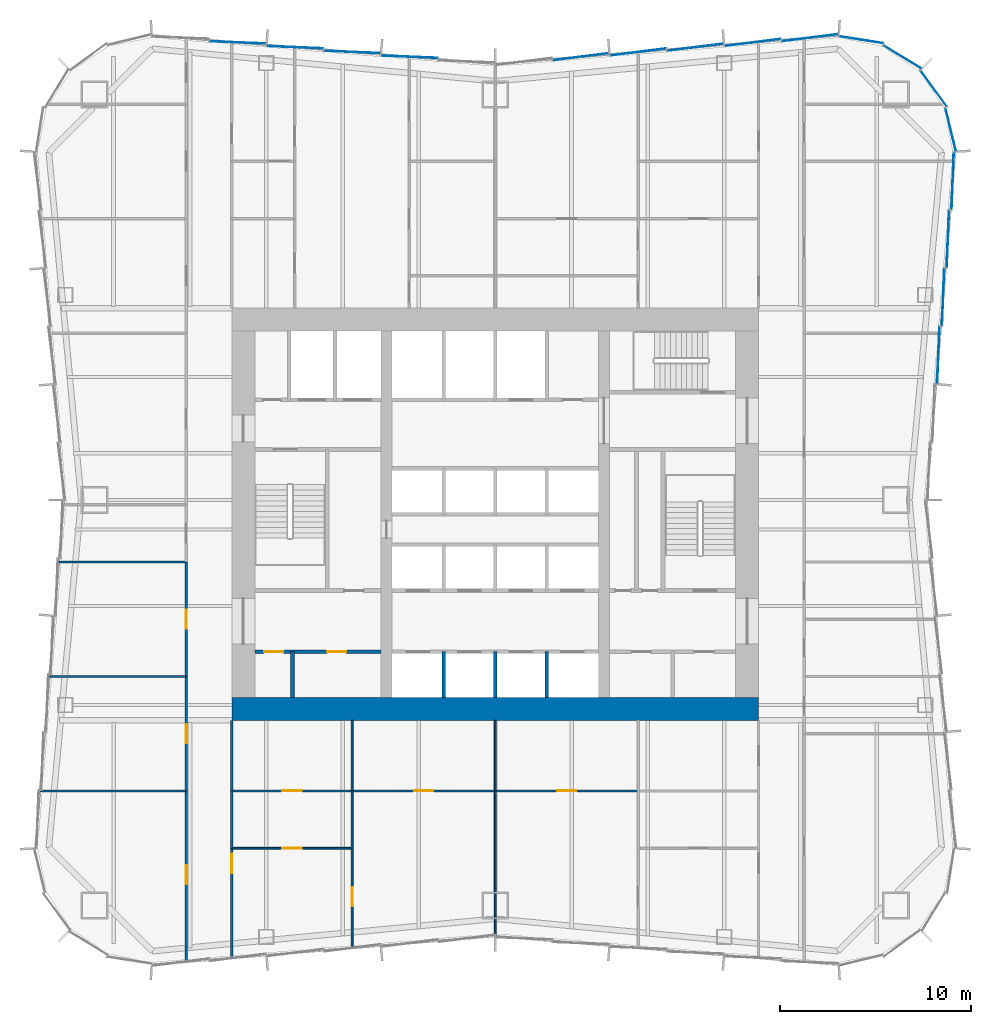
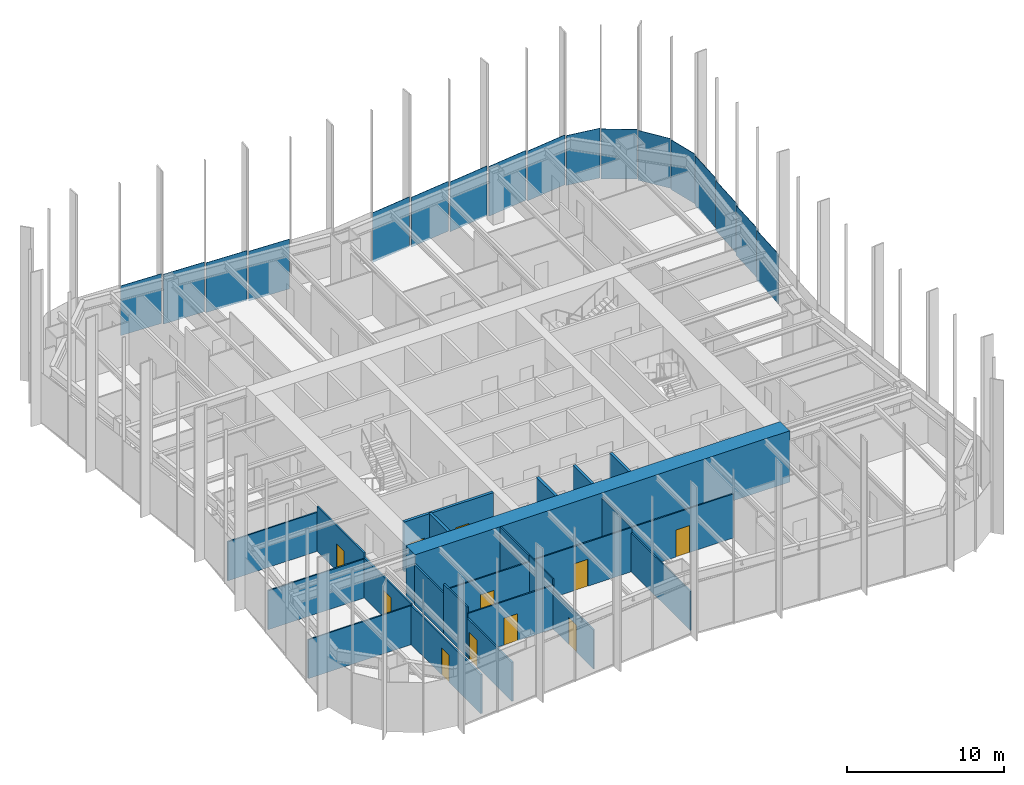
# One storey, part 8 of 13: 24 walls, 17 plates, 11 doors, 11 openings, 3 elements without a shape of their own.
"""IFC4 building model written with IfcOpenShell, lengths in metres."""

from ifc_helpers import new_model, si_unit, direction, frame, frame_2d, origin, origin_2d, place, context, subcontext, project, spatial, rectangle, extrude, material, layer, layer_set, type_object, element, fill, aggregate, save


model = new_model("IFC4")

# Units and contexts
model_context = context("Model", 3, precision=1e-05, world=origin(), true_north=direction((0.0, 1.0)))
body_context = subcontext(model_context, "Body", "Model", "MODEL_VIEW")
ifc_project = project(units=[si_unit("LENGTHUNIT", "METRE"), si_unit("AREAUNIT", "SQUARE_METRE"), si_unit("VOLUMEUNIT", "CUBIC_METRE"), si_unit("PLANEANGLEUNIT", "RADIAN"), si_unit("MASSUNIT", "GRAM", prefix="KILO")], contexts=[model_context])

# Site, building, storey
site_placement = place(None, origin())
site = spatial("IfcSite", under=ifc_project, at=site_placement, CompositionType="ELEMENT")
building_placement = place(site_placement, origin())
building = spatial("IfcBuilding", under=site, at=building_placement, Name="Verdant Reach Tower", CompositionType="ELEMENT")
storey_placement = place(building_placement, frame((0.0, 0.0, 70.0)))
storey = spatial("IfcBuildingStorey", under=building, at=storey_placement, Name="L15", CompositionType="ELEMENT", Elevation=70.0)

# Curtain wall, plates
ifc_material_1 = material(Name="Anodised aluminium", Category="aluminium")
curtain_wall_type = type_object("IfcCurtainWallType", Name="EN-CW SYSTEM Z1", PredefinedType="NOTDEFINED", material=ifc_material_1)
curtain_wall_1_placement = place(storey_placement, origin())
curtain_wall_1 = element("IfcCurtainWall", 1, at=curtain_wall_1_placement, inside=storey, type_object=curtain_wall_type, Name="Curtain wall north, L15", PredefinedType="NOTDEFINED")
ifc_material_2 = material(Name="Tinted glass with champagne spandrel", Category="glass")
ifc_layer_1 = layer(ifc_material_2, 0.031982421875)
ifc_layer_set_1 = layer_set([ifc_layer_1], Name="EN-PANEL CHAMPAGNE")
plate_type_1 = type_object("IfcPlateType", Name="EN-PANEL CHAMPAGNE", PredefinedType="CURTAIN_PANEL", material=ifc_layer_set_1)
plate_1_placement = place(storey_placement, frame((7.491455078125, 52.2275390625, -0.22802734375), z_axis=(0.0, 0.0, 1.0), x_axis=(-0.992194034542, -0.124703639961, 0.0)))
plate_1 = element("IfcPlate", 2, at=plate_1_placement, type_object=plate_type_1, Name="Glass panel north face part 1 4.1, L15", PredefinedType="CURTAIN_PANEL", context=body_context, shape_type="SweptSolid", body=[
    extrude(rectangle(XDim=2.952392578125, YDim=0.031982421875, at=origin_2d()), origin(), (0.0, 0.0, 1.0), 3.8779296875),
])
plate_2_placement = place(storey_placement, frame((4.491455078125, 51.9775390625, -0.22802734375), z_axis=(0.0, 0.0, 1.0), x_axis=(-0.992194034542, -0.124703639961, 0.0)))
plate_2 = element("IfcPlate", 3, at=plate_2_placement, type_object=plate_type_1, Name="Glass panel north face part 1 5.1, L15", PredefinedType="CURTAIN_PANEL", context=body_context, shape_type="SweptSolid", body=[
    extrude(rectangle(XDim=2.952392578125, YDim=0.031982421875, at=origin_2d()), origin(), (0.0, 0.0, 1.0), 3.8779296875),
])

curtain_wall_2_placement = place(storey_placement, origin())
curtain_wall_2 = element("IfcCurtainWall", 4, at=curtain_wall_2_placement, inside=storey, type_object=curtain_wall_type, Name="Curtain wall east, L15", PredefinedType="NOTDEFINED")
ifc_material_3 = material(Name="Tinted glass with copper spandrel", Category="glass")
ifc_layer_2 = layer(ifc_material_3, 0.031982421875)
ifc_layer_set_2 = layer_set([ifc_layer_2], Name="EN-PANEL COPPER")
plate_type_2 = type_object("IfcPlateType", Name="EN-PANEL COPPER", PredefinedType="CURTAIN_PANEL", material=ifc_layer_set_2)
plate_3_placement = place(storey_placement, frame((23.2275390625, 36.345703125, -0.22802734375), z_axis=(0.0, 0.0, 1.0), x_axis=(0.040108781752, 0.999195319057, 0.0)))
plate_3 = element("IfcPlate", 5, at=plate_3_placement, type_object=plate_type_2, Name="Glass panel east face part 2 3.1, L15", PredefinedType="CURTAIN_PANEL", context=body_context, shape_type="SweptSolid", body=[
    extrude(rectangle(XDim=2.993896484375, YDim=0.031982421875, at=origin_2d()), origin(), (0.0, 0.0, 1.0), 3.8779296875),
])
plate_4_placement = place(storey_placement, frame((23.4775390625, 39.387451171875, -0.22802734375), z_axis=(0.0, 0.0, 1.0), x_axis=(0.040108781752, 0.999195319057, 0.0)))
plate_4 = element("IfcPlate", 6, at=plate_4_placement, type_object=plate_type_2, Name="Glass panel east face part 2 4.1, L15", PredefinedType="CURTAIN_PANEL", context=body_context, shape_type="SweptSolid", body=[
    extrude(rectangle(XDim=2.993896484375, YDim=0.031982421875, at=origin_2d()), origin(), (0.0, 0.0, 1.0), 3.8779296875),
])

curtain_wall_3_placement = place(storey_placement, origin())
curtain_wall_3 = element("IfcCurtainWall", 7, at=curtain_wall_3_placement, inside=storey, type_object=curtain_wall_type, Name="Curtain wall north-east corner, L15", PredefinedType="NOTDEFINED")
plate_5_placement = place(storey_placement, frame((23.87060546875, 48.170654296875, -0.22802734375), z_axis=(0.0, 0.0, 1.0), x_axis=(-0.236383344544, 0.971659875894, 0.0)))
plate_5 = element("IfcPlate", 8, at=plate_5_placement, type_object=plate_type_2, Name="Glass panel north-east corner 1.1, L15", PredefinedType="CURTAIN_PANEL", context=body_context, shape_type="SweptSolid", body=[
    extrude(rectangle(XDim=2.3173828125, YDim=0.031982421875, at=origin_2d()), origin(), (0.0, 0.0, 1.0), 3.8779296875),
])
plate_6_placement = place(storey_placement, frame((22.97705078125, 50.325439453125, -0.22802734375), z_axis=(0.0, 0.0, 1.0), x_axis=(-0.589926768145, 0.807456753161, 0.0)))
plate_6 = element("IfcPlate", 9, at=plate_6_placement, type_object=plate_type_2, Name="Glass panel north-east corner 2.1, L15", PredefinedType="CURTAIN_PANEL", context=body_context, shape_type="SweptSolid", body=[
    extrude(rectangle(XDim=2.3232421875, YDim=0.031982421875, at=origin_2d()), origin(), (0.0, 0.0, 1.0), 3.8779296875),
])

# Plate
plate_7_placement = place(storey_placement, frame((16.49853515625, 52.977783203125, -0.22802734375), z_axis=(0.0, 0.0, 1.0), x_axis=(-0.99223537376, -0.124374286167, 0.0)))
plate_7 = element("IfcPlate", 10, at=plate_7_placement, type_object=plate_type_2, Name="Glass panel north face part 1 1.1, L15", PredefinedType="CURTAIN_PANEL", context=body_context, shape_type="SweptSolid", body=[
    extrude(rectangle(XDim=2.966796875, YDim=0.031982421875, at=origin_2d()), origin(), (0.0, 0.0, 1.0), 3.8779296875),
])

plate_8_placement = place(storey_placement, frame((-4.491455078125, 51.9775390625, -0.22802734375), z_axis=(0.0, 0.0, 1.0), x_axis=(-0.999149202059, 0.041241629766, 0.0)))
plate_8 = element("IfcPlate", 11, at=plate_8_placement, type_object=plate_type_2, Name="Glass panel north face part 2 2.1, L15", PredefinedType="CURTAIN_PANEL", context=body_context, shape_type="SweptSolid", body=[
    extrude(rectangle(XDim=2.952392578125, YDim=0.031982421875, at=origin_2d()), origin(), (0.0, 0.0, 1.0), 3.8779296875),
])

ifc_material_4 = material(Name="Tinted glass with dark bronze spandrel", Category="glass")
ifc_layer_3 = layer(ifc_material_4, 0.031982421875)
ifc_layer_set_3 = layer_set([ifc_layer_3], Name="EN-PANEL DARK")
plate_type_3 = type_object("IfcPlateType", Name="EN-PANEL DARK", PredefinedType="CURTAIN_PANEL", material=ifc_layer_set_3)
plate_9_placement = place(storey_placement, frame((23.7275390625, 42.428955078125, -0.22802734375), z_axis=(0.0, 0.0, 1.0), x_axis=(0.040108781752, 0.999195319057, 0.0)))
plate_9 = element("IfcPlate", 12, at=plate_9_placement, type_object=plate_type_3, Name="Glass panel east face part 2 5.1, L15", PredefinedType="CURTAIN_PANEL", context=body_context, shape_type="SweptSolid", body=[
    extrude(rectangle(XDim=2.993896484375, YDim=0.031982421875, at=origin_2d()), origin(), (0.0, 0.0, 1.0), 3.8779296875),
])

plate_10_placement = place(storey_placement, frame((23.977783203125, 45.477783203125, -0.22802734375), z_axis=(0.0, 0.0, 1.0), x_axis=(0.039784239139, 0.999208293759, 0.0)))
plate_10 = element("IfcPlate", 13, at=plate_10_placement, type_object=plate_type_3, Name="Glass panel east face part 2 6.1, L15", PredefinedType="CURTAIN_PANEL", context=body_context, shape_type="SweptSolid", body=[
    extrude(rectangle(XDim=3.00830078125, YDim=0.031982421875, at=origin_2d()), origin(), (0.0, 0.0, 1.0), 3.8779296875),
])

aggregate(curtain_wall_2, [plate_3, plate_4, plate_9, plate_10])

plate_11_placement = place(storey_placement, frame((21.325439453125, 51.97705078125, -0.22802734375), z_axis=(0.0, 0.0, 1.0), x_axis=(-0.85398868836, 0.520291572248, 0.0)))
plate_11 = element("IfcPlate", 14, at=plate_11_placement, type_object=plate_type_3, Name="Glass panel north-east corner 3.1, L15", PredefinedType="CURTAIN_PANEL", context=body_context, shape_type="SweptSolid", body=[
    extrude(rectangle(XDim=2.3232421875, YDim=0.031982421875, at=origin_2d()), origin(), (0.0, 0.0, 1.0), 3.8779296875),
])

plate_12_placement = place(storey_placement, frame((19.170654296875, 52.87060546875, -0.22802734375), z_axis=(0.0, 0.0, 1.0), x_axis=(-0.988032704995, 0.154244526195, 0.0)))
plate_12 = element("IfcPlate", 15, at=plate_12_placement, type_object=plate_type_3, Name="Glass panel north-east corner 4.1, L15", PredefinedType="CURTAIN_PANEL", context=body_context, shape_type="SweptSolid", body=[
    extrude(rectangle(XDim=2.317626953125, YDim=0.031982421875, at=origin_2d()), origin(), (0.0, 0.0, 1.0), 3.8779296875),
])

aggregate(curtain_wall_3, [plate_5, plate_6, plate_11, plate_12])

plate_13_placement = place(storey_placement, frame((13.491455078125, 52.7275390625, -0.22802734375), z_axis=(0.0, 0.0, 1.0), x_axis=(-0.992194034542, -0.124703639961, 0.0)))
plate_13 = element("IfcPlate", 16, at=plate_13_placement, type_object=plate_type_3, Name="Glass panel north face part 1 2.1, L15", PredefinedType="CURTAIN_PANEL", context=body_context, shape_type="SweptSolid", body=[
    extrude(rectangle(XDim=2.952392578125, YDim=0.031982421875, at=origin_2d()), origin(), (0.0, 0.0, 1.0), 3.8779296875),
])

plate_14_placement = place(storey_placement, frame((10.491455078125, 52.4775390625, -0.22802734375), z_axis=(0.0, 0.0, 1.0), x_axis=(-0.992194034542, -0.124703639961, 0.0)))
plate_14 = element("IfcPlate", 17, at=plate_14_placement, type_object=plate_type_3, Name="Glass panel north face part 1 3.1, L15", PredefinedType="CURTAIN_PANEL", context=body_context, shape_type="SweptSolid", body=[
    extrude(rectangle(XDim=2.952392578125, YDim=0.031982421875, at=origin_2d()), origin(), (0.0, 0.0, 1.0), 3.8779296875),
])

plate_15_placement = place(storey_placement, frame((-7.491455078125, 52.2275390625, -0.22802734375), z_axis=(0.0, 0.0, 1.0), x_axis=(-0.999149202059, 0.041241629766, 0.0)))
plate_15 = element("IfcPlate", 18, at=plate_15_placement, type_object=plate_type_3, Name="Glass panel north face part 2 3.1, L15", PredefinedType="CURTAIN_PANEL", context=body_context, shape_type="SweptSolid", body=[
    extrude(rectangle(XDim=2.952392578125, YDim=0.031982421875, at=origin_2d()), origin(), (0.0, 0.0, 1.0), 3.8779296875),
])

plate_16_placement = place(storey_placement, frame((-10.491455078125, 52.4775390625, -0.22802734375), z_axis=(0.0, 0.0, 1.0), x_axis=(-0.999149202059, 0.041241629766, 0.0)))
plate_16 = element("IfcPlate", 19, at=plate_16_placement, type_object=plate_type_3, Name="Glass panel north face part 2 4.1, L15", PredefinedType="CURTAIN_PANEL", context=body_context, shape_type="SweptSolid", body=[
    extrude(rectangle(XDim=2.952392578125, YDim=0.031982421875, at=origin_2d()), origin(), (0.0, 0.0, 1.0), 3.8779296875),
])

plate_17_placement = place(storey_placement, frame((-13.491455078125, 52.7275390625, -0.22802734375), z_axis=(0.0, 0.0, 1.0), x_axis=(-0.999149202059, 0.041241629766, 0.0)))
plate_17 = element("IfcPlate", 20, at=plate_17_placement, type_object=plate_type_3, Name="Glass panel north face part 2 5.1, L15", PredefinedType="CURTAIN_PANEL", context=body_context, shape_type="SweptSolid", body=[
    extrude(rectangle(XDim=2.952392578125, YDim=0.031982421875, at=origin_2d()), origin(), (0.0, 0.0, 1.0), 3.8779296875),
])

aggregate(curtain_wall_1, [plate_7, plate_13, plate_14, plate_1, plate_2, plate_8, plate_15, plate_16, plate_17])

# Wall, openings, doors
ifc_material_5 = material(Name="Gypsum board on steel studs", Category="steel")
ifc_layer_4 = layer(ifc_material_5, 0.199951171875)
ifc_layer_set_4 = layer_set([ifc_layer_4], Name="CO-WALL-ROOM")
wall_type_1 = type_object("IfcWallType", Name="CO-WALL-ROOM", PredefinedType="PARTITIONING", material=ifc_layer_set_4)
wall_1_placement = place(storey_placement, frame((-12.60009765625, 20.800048828125, 0.0), z_axis=(0.0, 0.0, 1.0), x_axis=(1.0, 0.0, 0.0)))
wall_1 = element("IfcWall", 21, at=wall_1_placement, inside=storey, type_object=wall_type_1, Name="Core partition, L15", PredefinedType="PARTITIONING", context=body_context, shape_type="SweptSolid", body=[
    extrude(rectangle(XDim=6.60009765625, YDim=0.199951171875, at=frame_2d((3.300048828125, 0.0))), origin(), (0.0, 0.0, 1.0), 3.8701171875),
])
opening_1_placement = place(wall_1_placement, frame((0.489990234375, 0.0, 0.0)))
opening_1 = element("IfcOpeningElement", 22, at=opening_1_placement, cuts=wall_1, Name="Opening CD", PredefinedType="OPENING", context=body_context, shape_type="SweptSolid", body=[
    extrude(rectangle(XDim=1.0, YDim=2.10009765625, at=frame_2d((0.5, 1.050048828125))), frame((0.0, 0.10986328125, 0.0), z_axis=(0.0, -1.0, 0.0), x_axis=(1.0, 0.0, 0.0)), (0.0, 0.0, 1.0), 0.219970703125),
])
opening_2_placement = place(wall_1_placement, frame((3.7900390625, 0.0, 0.0)))
opening_2 = element("IfcOpeningElement", 23, at=opening_2_placement, cuts=wall_1, Name="Opening CD", PredefinedType="OPENING", context=body_context, shape_type="SweptSolid", body=[
    extrude(rectangle(XDim=1.0, YDim=2.10009765625, at=frame_2d((0.5, 1.050048828125))), frame((0.0, 0.10986328125, 0.0), z_axis=(0.0, -1.0, 0.0), x_axis=(1.0, 0.0, 0.0)), (0.0, 0.0, 1.0), 0.219970703125),
])
ifc_material_6 = material(Name="Timber", Category="wood")
door_type_1 = type_object("IfcDoorType", Name="CO-DOOR-ROOM", OperationType="NOTDEFINED", PredefinedType="DOOR", material=ifc_material_6)
door_1_placement = place(opening_1_placement, origin())
door_1 = element("IfcDoor", 24, at=door_1_placement, inside=storey, type_object=door_type_1, Name="Core room door, L15", OperationType="SINGLE_SWING_RIGHT", OverallHeight=2.10009765625, OverallWidth=1.0, PredefinedType="DOOR", context=body_context, shape_type="SweptSolid", body=[
    extrude(rectangle(XDim=1.0, YDim=2.10009765625, at=frame_2d((0.5, 1.050048828125))), frame((0.0, 0.02490234375, 0.0), z_axis=(0.0, -1.0, 0.0), x_axis=(1.0, 0.0, 0.0)), (0.0, 0.0, 1.0), 0.050048828125),
])
fill(opening_1, door_1)
door_2_placement = place(opening_2_placement, origin())
door_2 = element("IfcDoor", 25, at=door_2_placement, inside=storey, type_object=door_type_1, Name="Core room door, L15", OperationType="SINGLE_SWING_RIGHT", OverallHeight=2.10009765625, OverallWidth=1.0, PredefinedType="DOOR", context=body_context, shape_type="SweptSolid", body=[
    extrude(rectangle(XDim=1.0, YDim=2.10009765625, at=frame_2d((0.5, 1.050048828125))), frame((0.0, 0.02490234375, 0.0), z_axis=(0.0, -1.0, 0.0), x_axis=(1.0, 0.0, 0.0)), (0.0, 0.0, 1.0), 0.050048828125),
])
fill(opening_2, door_2)

# Walls
wall_2_placement = place(storey_placement, frame((-10.6201171875, 18.39990234375, 0.0), z_axis=(0.0, 0.0, 1.0), x_axis=(0.0, 1.0, 0.0)))
element("IfcWall", 26, at=wall_2_placement, inside=storey, type_object=wall_type_1, Name="Core partition, L15", PredefinedType="PARTITIONING", context=body_context, shape_type="SweptSolid", body=[
    extrude(rectangle(XDim=2.400146484375, YDim=0.199951171875, at=frame_2d((1.2001953125, 0.0))), origin(), (0.0, 0.0, 1.0), 3.8701171875),
])
ifc_material_7 = material(Name="Concrete C40/50", Category="concrete")
ifc_layer_5 = layer(ifc_material_7, 0.199951171875)
ifc_layer_set_5 = layer_set([ifc_layer_5], Name="CO-WALL-SHAFT")
wall_type_2 = type_object("IfcWallType", Name="CO-WALL-SHAFT", PredefinedType="PARTITIONING", material=ifc_layer_set_5)
for number, where, z_axis, x_axis, name in (
    (27, (-2.699951171875, 18.39990234375, 0.0), (0.0, 0.0, 1.0), (0.0, 1.0, 0.0), "Lift shaft wall, L15"),
    (28, (0.0, 18.39990234375, 0.0), (0.0, 0.0, 1.0), (0.0, 1.0, 0.0), "Lift shaft wall, L15"),
    (29, (2.699951171875, 18.39990234375, 0.0), (0.0, 0.0, 1.0), (0.0, 1.0, 0.0), "Lift shaft wall, L15"),
):
    element("IfcWall", number, at=place(storey_placement, frame(where, z_axis=z_axis, x_axis=x_axis)), inside=storey, type_object=wall_type_2, Name=name, PredefinedType="PARTITIONING", context=body_context, shape_type="SweptSolid", body=[
        extrude(rectangle(XDim=2.400146484375, YDim=0.199951171875, at=frame_2d((1.2001953125, 0.0))), origin(), (0.0, 0.0, 1.0), 3.8701171875),
    ])
ifc_layer_6 = layer(ifc_material_5, 0.10009765625)
ifc_layer_set_6 = layer_set([ifc_layer_6], Name="FL-W1 Partition 100")
wall_type_3 = type_object("IfcWallType", Name="FL-W1 Partition 100", PredefinedType="PARTITIONING", material=ifc_layer_set_6)
wall_3_placement = place(storey_placement, frame((-16.199951171875, 13.5, 0.0), z_axis=(0.0, 0.0, 1.0), x_axis=(-1.0, 0.0, 0.0)))
element("IfcWall", 30, at=wall_3_placement, inside=storey, type_object=wall_type_3, Name="Partition 15.29", PredefinedType="PARTITIONING", context=body_context, shape_type="SweptSolid", body=[
    extrude(rectangle(XDim=7.633544921875, YDim=0.10009765625, at=frame_2d((3.81689453125, 0.0))), origin(), (0.0, 0.0, 1.0), 3.0400390625),
])
wall_4_placement = place(storey_placement, frame((-16.199951171875, 19.5, 0.0), z_axis=(0.0, 0.0, 1.0), x_axis=(-1.0, 0.0, 0.0)))
element("IfcWall", 31, at=wall_4_placement, inside=storey, type_object=wall_type_3, Name="Partition 15.30", PredefinedType="PARTITIONING", context=body_context, shape_type="SweptSolid", body=[
    extrude(rectangle(XDim=7.140380859375, YDim=0.10009765625, at=frame_2d((3.5703125, 0.0))), origin(), (0.0, 0.0, 1.0), 3.0400390625),
])
wall_5_placement = place(storey_placement, frame((-16.199951171875, 25.5, 0.0), z_axis=(0.0, 0.0, 1.0), x_axis=(-1.0, 0.0, 0.0)))
element("IfcWall", 32, at=wall_5_placement, inside=storey, type_object=wall_type_3, Name="Partition 15.31", PredefinedType="PARTITIONING", context=body_context, shape_type="SweptSolid", body=[
    extrude(rectangle(XDim=6.647216796875, YDim=0.10009765625, at=frame_2d((3.32373046875, 0.0))), origin(), (0.0, 0.0, 1.0), 3.0400390625),
])

# Wall, opening, door
wall_6_placement = place(storey_placement, frame((-13.800048828125, 10.5, 0.0), z_axis=(0.0, 0.0, 1.0), x_axis=(1.0, 0.0, 0.0)))
wall_6 = element("IfcWall", 33, at=wall_6_placement, inside=storey, type_object=wall_type_3, Name="Partition 15.43", PredefinedType="PARTITIONING", context=body_context, shape_type="SweptSolid", body=[
    extrude(rectangle(XDim=6.300048828125, YDim=0.10009765625, at=frame_2d((3.14990234375, 0.0))), origin(), (0.0, 0.0, 1.0), 3.389892578125),
])
opening_3_placement = place(wall_6_placement, frame((2.64990234375, 0.0, 0.0)))
opening_3 = element("IfcOpeningElement", 34, at=opening_3_placement, cuts=wall_6, Name="Opening D3", PredefinedType="OPENING", context=body_context, shape_type="SweptSolid", body=[
    extrude(rectangle(XDim=1.0, YDim=2.10009765625, at=frame_2d((0.5, 1.050048828125))), frame((0.0, 0.06005859375, 0.0), z_axis=(0.0, -1.0, 0.0), x_axis=(1.0, 0.0, 0.0)), (0.0, 0.0, 1.0), 0.1201171875),
])
ifc_material_8 = material(Name="Painted timber door leaf", Category="wood")
door_type_2 = type_object("IfcDoorType", Name="FL-D3 Door 1000x2100", OperationType="NOTDEFINED", PredefinedType="DOOR", material=ifc_material_8)
door_3_placement = place(opening_3_placement, origin())
door_3 = element("IfcDoor", 35, at=door_3_placement, inside=storey, type_object=door_type_2, Name="Door 15-023", OperationType="SINGLE_SWING_LEFT", OverallHeight=2.10009765625, OverallWidth=1.0, PredefinedType="DOOR", context=body_context, shape_type="SweptSolid", body=[
    extrude(rectangle(XDim=1.0, YDim=2.10009765625, at=frame_2d((0.5, 1.050048828125))), frame((0.0, 0.02490234375, 0.0), z_axis=(0.0, -1.0, 0.0), x_axis=(1.0, 0.0, 0.0)), (0.0, 0.0, 1.0), 0.050048828125),
])
fill(opening_3, door_3)

wall_7_placement = place(storey_placement, frame((-7.5, 10.50390625, 0.0), z_axis=(0.0, 0.0, 1.0), x_axis=(0.0, -1.0, 0.0)))
wall_7 = element("IfcWall", 36, at=wall_7_placement, inside=storey, type_object=wall_type_3, Name="Partition 15.44", PredefinedType="PARTITIONING", context=body_context, shape_type="SweptSolid", body=[
    extrude(rectangle(XDim=5.208984375, YDim=0.10009765625, at=frame_2d((2.6044921875, 0.0))), origin(), (0.0, 0.0, 1.0), 3.0400390625),
])
opening_4_placement = place(wall_7_placement, frame((2.039306640625, 0.0, 0.0)))
opening_4 = element("IfcOpeningElement", 37, at=opening_4_placement, cuts=wall_7, Name="Opening D3", PredefinedType="OPENING", context=body_context, shape_type="SweptSolid", body=[
    extrude(rectangle(XDim=1.0, YDim=2.10009765625, at=frame_2d((0.5, 1.050048828125))), frame((0.0, 0.06005859375, 0.0), z_axis=(0.0, -1.0, 0.0), x_axis=(1.0, 0.0, 0.0)), (0.0, 0.0, 1.0), 0.1201171875),
])
door_4_placement = place(opening_4_placement, origin())
door_4 = element("IfcDoor", 38, at=door_4_placement, inside=storey, type_object=door_type_2, Name="Door 15-024", OperationType="SINGLE_SWING_LEFT", OverallHeight=2.10009765625, OverallWidth=1.0, PredefinedType="DOOR", context=body_context, shape_type="SweptSolid", body=[
    extrude(rectangle(XDim=1.0, YDim=2.10009765625, at=frame_2d((0.5, 1.050048828125))), frame((0.0, 0.02490234375, 0.0), z_axis=(0.0, -1.0, 0.0), x_axis=(1.0, 0.0, 0.0)), (0.0, 0.0, 1.0), 0.050048828125),
])
fill(opening_4, door_4)

wall_8_placement = place(storey_placement, frame((-13.800048828125, 13.5, 0.0), z_axis=(0.0, 0.0, 1.0), x_axis=(1.0, 0.0, 0.0)))
wall_8 = element("IfcWall", 39, at=wall_8_placement, inside=storey, type_object=wall_type_3, Name="Partition 15.45", PredefinedType="PARTITIONING", context=body_context, shape_type="SweptSolid", body=[
    extrude(rectangle(XDim=6.300048828125, YDim=0.10009765625, at=frame_2d((3.14990234375, 0.0))), origin(), (0.0, 0.0, 1.0), 3.389892578125),
])
opening_5_placement = place(wall_8_placement, frame((2.64990234375, 0.0, 0.0)))
opening_5 = element("IfcOpeningElement", 40, at=opening_5_placement, cuts=wall_8, Name="Opening D3", PredefinedType="OPENING", context=body_context, shape_type="SweptSolid", body=[
    extrude(rectangle(XDim=1.0, YDim=2.10009765625, at=frame_2d((0.5, 1.050048828125))), frame((0.0, 0.06005859375, 0.0), z_axis=(0.0, -1.0, 0.0), x_axis=(1.0, 0.0, 0.0)), (0.0, 0.0, 1.0), 0.1201171875),
])
door_5_placement = place(opening_5_placement, origin())
door_5 = element("IfcDoor", 41, at=door_5_placement, inside=storey, type_object=door_type_2, Name="Door 15-025", OperationType="SINGLE_SWING_LEFT", OverallHeight=2.10009765625, OverallWidth=1.0, PredefinedType="DOOR", context=body_context, shape_type="SweptSolid", body=[
    extrude(rectangle(XDim=1.0, YDim=2.10009765625, at=frame_2d((0.5, 1.050048828125))), frame((0.0, 0.02490234375, 0.0), z_axis=(0.0, -1.0, 0.0), x_axis=(1.0, 0.0, 0.0)), (0.0, 0.0, 1.0), 0.050048828125),
])
fill(opening_5, door_5)

# Walls
wall_9_placement = place(storey_placement, frame((-7.5, 10.49609375, 0.0), z_axis=(0.0, 0.0, 1.0), x_axis=(0.0, 1.0, 0.0)))
element("IfcWall", 42, at=wall_9_placement, inside=storey, type_object=wall_type_3, Name="Partition 15.46", PredefinedType="PARTITIONING", context=body_context, shape_type="SweptSolid", body=[
    extrude(rectangle(XDim=3.00390625, YDim=0.10009765625, at=frame_2d((1.501953125, 0.0))), origin(), (0.0, 0.0, 1.0), 3.8701171875),
])
wall_10_placement = place(storey_placement, frame((-7.5, 13.5, 0.0), z_axis=(0.0, 0.0, 1.0), x_axis=(0.0, 1.0, 0.0)))
element("IfcWall", 43, at=wall_10_placement, inside=storey, type_object=wall_type_3, Name="Partition 15.47", PredefinedType="PARTITIONING", context=body_context, shape_type="SweptSolid", body=[
    extrude(rectangle(XDim=3.699951171875, YDim=0.10009765625, at=frame_2d((1.85009765625, 0.0))), origin(), (0.0, 0.0, 1.0), 3.8701171875),
])

# Wall, opening, door
wall_11_placement = place(storey_placement, frame((-7.5, 13.5, 0.0), z_axis=(0.0, 0.0, 1.0), x_axis=(1.0, 0.0, 0.0)))
wall_11 = element("IfcWall", 44, at=wall_11_placement, inside=storey, type_object=wall_type_3, Name="Partition 15.48", PredefinedType="PARTITIONING", context=body_context, shape_type="SweptSolid", body=[
    extrude(rectangle(XDim=7.5, YDim=0.10009765625, at=frame_2d((3.75, 0.0))), origin(), (0.0, 0.0, 1.0), 3.43994140625),
])
opening_6_placement = place(wall_11_placement, frame((3.25, 0.0, 0.0)))
opening_6 = element("IfcOpeningElement", 45, at=opening_6_placement, cuts=wall_11, Name="Opening D3", PredefinedType="OPENING", context=body_context, shape_type="SweptSolid", body=[
    extrude(rectangle(XDim=1.0, YDim=2.10009765625, at=frame_2d((0.5, 1.050048828125))), frame((0.0, 0.06005859375, 0.0), z_axis=(0.0, -1.0, 0.0), x_axis=(1.0, 0.0, 0.0)), (0.0, 0.0, 1.0), 0.1201171875),
])
door_6_placement = place(opening_6_placement, origin())
door_6 = element("IfcDoor", 46, at=door_6_placement, inside=storey, type_object=door_type_2, Name="Door 15-026", OperationType="SINGLE_SWING_RIGHT", OverallHeight=2.10009765625, OverallWidth=1.0, PredefinedType="DOOR", context=body_context, shape_type="SweptSolid", body=[
    extrude(rectangle(XDim=1.0, YDim=2.10009765625, at=frame_2d((0.5, 1.050048828125))), frame((0.0, 0.02490234375, 0.0), z_axis=(0.0, -1.0, 0.0), x_axis=(1.0, 0.0, 0.0)), (0.0, 0.0, 1.0), 0.050048828125),
])
fill(opening_6, door_6)

# Walls
wall_12_placement = place(storey_placement, frame((0.0, 5.919921875, 0.0), z_axis=(0.0, 0.0, 1.0), x_axis=(0.0, 1.0, 0.0)))
element("IfcWall", 47, at=wall_12_placement, inside=storey, type_object=wall_type_3, Name="Partition 15.49", PredefinedType="PARTITIONING", context=body_context, shape_type="SweptSolid", body=[
    extrude(rectangle(XDim=7.580078125, YDim=0.10009765625, at=frame_2d((3.7900390625, 0.0))), origin(), (0.0, 0.0, 1.0), 3.0400390625),
])
wall_13_placement = place(storey_placement, frame((0.0, 13.5, 0.0), z_axis=(0.0, 0.0, 1.0), x_axis=(0.0, 1.0, 0.0)))
element("IfcWall", 48, at=wall_13_placement, inside=storey, type_object=wall_type_3, Name="Partition 15.50", PredefinedType="PARTITIONING", context=body_context, shape_type="SweptSolid", body=[
    extrude(rectangle(XDim=3.699951171875, YDim=0.10009765625, at=frame_2d((1.85009765625, 0.0))), origin(), (0.0, 0.0, 1.0), 3.47998046875),
])

# Wall, opening, door
wall_14_placement = place(storey_placement, frame((0.0, 13.5, 0.0), z_axis=(0.0, 0.0, 1.0), x_axis=(1.0, 0.0, 0.0)))
wall_14 = element("IfcWall", 49, at=wall_14_placement, inside=storey, type_object=wall_type_3, Name="Partition 15.56", PredefinedType="PARTITIONING", context=body_context, shape_type="SweptSolid", body=[
    extrude(rectangle(XDim=7.5, YDim=0.10009765625, at=frame_2d((3.75, 0.0))), origin(), (0.0, 0.0, 1.0), 3.43994140625),
])
opening_7_placement = place(wall_14_placement, frame((3.25, 0.0, 0.0)))
opening_7 = element("IfcOpeningElement", 50, at=opening_7_placement, cuts=wall_14, Name="Opening D3", PredefinedType="OPENING", context=body_context, shape_type="SweptSolid", body=[
    extrude(rectangle(XDim=1.0, YDim=2.10009765625, at=frame_2d((0.5, 1.050048828125))), frame((0.0, 0.06005859375, 0.0), z_axis=(0.0, -1.0, 0.0), x_axis=(1.0, 0.0, 0.0)), (0.0, 0.0, 1.0), 0.1201171875),
])
door_7_placement = place(opening_7_placement, origin())
door_7 = element("IfcDoor", 51, at=door_7_placement, inside=storey, type_object=door_type_2, Name="Door 15-029", OperationType="SINGLE_SWING_LEFT", OverallHeight=2.10009765625, OverallWidth=1.0, PredefinedType="DOOR", context=body_context, shape_type="SweptSolid", body=[
    extrude(rectangle(XDim=1.0, YDim=2.10009765625, at=frame_2d((0.5, 1.050048828125))), frame((0.0, 0.02490234375, 0.0), z_axis=(0.0, -1.0, 0.0), x_axis=(1.0, 0.0, 0.0)), (0.0, 0.0, 1.0), 0.050048828125),
])
fill(opening_7, door_7)

ifc_material_9 = material(Name="Gypsum board on steel studs, fire rated", Category="steel")
ifc_layer_7 = layer(ifc_material_9, 0.125)
ifc_layer_set_7 = layer_set([ifc_layer_7], Name="FL-W2 Corridor wall 125")
wall_type_4 = type_object("IfcWallType", Name="FL-W2 Corridor wall 125", PredefinedType="PARTITIONING", material=ifc_layer_set_7)
wall_15_placement = place(storey_placement, frame((-16.199951171875, 4.570068359375, 0.0), z_axis=(0.0, 0.0, 1.0), x_axis=(0.0, 1.0, 0.0)))
wall_15 = element("IfcWall", 52, at=wall_15_placement, inside=storey, type_object=wall_type_4, Name="Partition 15.01", PredefinedType="PARTITIONING", context=body_context, shape_type="SweptSolid", body=[
    extrude(rectangle(XDim=8.929931640625, YDim=0.125, at=frame_2d((4.46484375, 0.0))), origin(), (0.0, 0.0, 1.0), 3.0400390625),
])
opening_8_placement = place(wall_15_placement, frame((4.030029296875, 0.0, 0.0)))
opening_8 = element("IfcOpeningElement", 53, at=opening_8_placement, cuts=wall_15, Name="Opening D2", PredefinedType="OPENING", context=body_context, shape_type="SweptSolid", body=[
    extrude(rectangle(XDim=1.0, YDim=2.10009765625, at=frame_2d((0.5, 1.050048828125))), frame((0.0, 0.072509765625, 0.0), z_axis=(0.0, -1.0, 0.0), x_axis=(1.0, 0.0, 0.0)), (0.0, 0.0, 1.0), 0.14501953125),
])
ifc_material_10 = material(Name="Timber door leaf, fire rated", Category="wood")
door_type_3 = type_object("IfcDoorType", Name="FL-D2 Entrance door 1000x2100 FD30", OperationType="NOTDEFINED", PredefinedType="DOOR", material=ifc_material_10)
door_8_placement = place(opening_8_placement, origin())
door_8 = element("IfcDoor", 54, at=door_8_placement, inside=storey, type_object=door_type_3, Name="Door 15-001", OperationType="SINGLE_SWING_RIGHT", OverallHeight=2.10009765625, OverallWidth=1.0, PredefinedType="DOOR", context=body_context, shape_type="SweptSolid", body=[
    extrude(rectangle(XDim=1.0, YDim=2.10009765625, at=frame_2d((0.5, 1.050048828125))), frame((0.0, 0.02490234375, 0.0), z_axis=(0.0, -1.0, 0.0), x_axis=(1.0, 0.0, 0.0)), (0.0, 0.0, 1.0), 0.050048828125),
])
fill(opening_8, door_8)

wall_16_placement = place(storey_placement, frame((-16.199951171875, 13.5, 0.0), z_axis=(0.0, 0.0, 1.0), x_axis=(0.0, 1.0, 0.0)))
wall_16 = element("IfcWall", 55, at=wall_16_placement, inside=storey, type_object=wall_type_4, Name="Partition 15.02", PredefinedType="PARTITIONING", context=body_context, shape_type="SweptSolid", body=[
    extrude(rectangle(XDim=6.0, YDim=0.125, at=frame_2d((3.0, 0.0))), origin(), (0.0, 0.0, 1.0), 3.139892578125),
])
opening_9_placement = place(wall_16_placement, frame((2.5, 0.0, 0.0)))
opening_9 = element("IfcOpeningElement", 56, at=opening_9_placement, cuts=wall_16, Name="Opening D2", PredefinedType="OPENING", context=body_context, shape_type="SweptSolid", body=[
    extrude(rectangle(XDim=1.0, YDim=2.10009765625, at=frame_2d((0.5, 1.050048828125))), frame((0.0, 0.072509765625, 0.0), z_axis=(0.0, -1.0, 0.0), x_axis=(1.0, 0.0, 0.0)), (0.0, 0.0, 1.0), 0.14501953125),
])
door_9_placement = place(opening_9_placement, origin())
door_9 = element("IfcDoor", 57, at=door_9_placement, inside=storey, type_object=door_type_3, Name="Door 15-002", OperationType="SINGLE_SWING_RIGHT", OverallHeight=2.10009765625, OverallWidth=1.0, PredefinedType="DOOR", context=body_context, shape_type="SweptSolid", body=[
    extrude(rectangle(XDim=1.0, YDim=2.10009765625, at=frame_2d((0.5, 1.050048828125))), frame((0.0, 0.02490234375, 0.0), z_axis=(0.0, -1.0, 0.0), x_axis=(1.0, 0.0, 0.0)), (0.0, 0.0, 1.0), 0.050048828125),
])
fill(opening_9, door_9)

wall_17_placement = place(storey_placement, frame((-16.199951171875, 19.5, 0.0), z_axis=(0.0, 0.0, 1.0), x_axis=(0.0, 1.0, 0.0)))
wall_17 = element("IfcWall", 58, at=wall_17_placement, inside=storey, type_object=wall_type_4, Name="Partition 15.03", PredefinedType="PARTITIONING", context=body_context, shape_type="SweptSolid", body=[
    extrude(rectangle(XDim=6.0, YDim=0.125, at=frame_2d((3.0, 0.0))), origin(), (0.0, 0.0, 1.0), 3.47998046875),
])
opening_10_placement = place(wall_17_placement, frame((2.5, 0.0, 0.0)))
opening_10 = element("IfcOpeningElement", 59, at=opening_10_placement, cuts=wall_17, Name="Opening D2", PredefinedType="OPENING", context=body_context, shape_type="SweptSolid", body=[
    extrude(rectangle(XDim=1.0, YDim=2.10009765625, at=frame_2d((0.5, 1.050048828125))), frame((0.0, 0.072509765625, 0.0), z_axis=(0.0, -1.0, 0.0), x_axis=(1.0, 0.0, 0.0)), (0.0, 0.0, 1.0), 0.14501953125),
])
door_10_placement = place(opening_10_placement, origin())
door_10 = element("IfcDoor", 60, at=door_10_placement, inside=storey, type_object=door_type_3, Name="Door 15-003", OperationType="SINGLE_SWING_LEFT", OverallHeight=2.10009765625, OverallWidth=1.0, PredefinedType="DOOR", context=body_context, shape_type="SweptSolid", body=[
    extrude(rectangle(XDim=1.0, YDim=2.10009765625, at=frame_2d((0.5, 1.050048828125))), frame((0.0, 0.02490234375, 0.0), z_axis=(0.0, -1.0, 0.0), x_axis=(1.0, 0.0, 0.0)), (0.0, 0.0, 1.0), 0.050048828125),
])
fill(opening_10, door_10)

wall_18_placement = place(storey_placement, frame((-13.800048828125, 10.5, 0.0), z_axis=(0.0, 0.0, 1.0), x_axis=(0.0, -1.0, 0.0)))
wall_18 = element("IfcWall", 61, at=wall_18_placement, inside=storey, type_object=wall_type_4, Name="Partition 15.09", PredefinedType="PARTITIONING", context=body_context, shape_type="SweptSolid", body=[
    extrude(rectangle(XDim=5.72998046875, YDim=0.125, at=frame_2d((2.864990234375, 0.0))), origin(), (0.0, 0.0, 1.0), 3.0400390625),
])
opening_11_placement = place(wall_18_placement, frame((0.2998046875, 0.0, 0.0)))
opening_11 = element("IfcOpeningElement", 62, at=opening_11_placement, cuts=wall_18, Name="Opening D2", PredefinedType="OPENING", context=body_context, shape_type="SweptSolid", body=[
    extrude(rectangle(XDim=1.0, YDim=2.10009765625, at=frame_2d((0.5, 1.050048828125))), frame((0.0, 0.072509765625, 0.0), z_axis=(0.0, -1.0, 0.0), x_axis=(1.0, 0.0, 0.0)), (0.0, 0.0, 1.0), 0.14501953125),
])
door_11_placement = place(opening_11_placement, origin())
door_11 = element("IfcDoor", 63, at=door_11_placement, inside=storey, type_object=door_type_3, Name="Door 15-009", OperationType="SINGLE_SWING_LEFT", OverallHeight=2.10009765625, OverallWidth=1.0, PredefinedType="DOOR", context=body_context, shape_type="SweptSolid", body=[
    extrude(rectangle(XDim=1.0, YDim=2.10009765625, at=frame_2d((0.5, 1.050048828125))), frame((0.0, 0.02490234375, 0.0), z_axis=(0.0, -1.0, 0.0), x_axis=(1.0, 0.0, 0.0)), (0.0, 0.0, 1.0), 0.050048828125),
])
fill(opening_11, door_11)

# Walls
wall_19_placement = place(storey_placement, frame((-13.800048828125, 10.5, 0.0), z_axis=(0.0, 0.0, 1.0), x_axis=(0.0, 1.0, 0.0)))
element("IfcWall", 64, at=wall_19_placement, inside=storey, type_object=wall_type_4, Name="Partition 15.10", PredefinedType="PARTITIONING", context=body_context, shape_type="SweptSolid", body=[
    extrude(rectangle(XDim=3.0, YDim=0.125, at=frame_2d((1.5, 0.0))), origin(), (0.0, 0.0, 1.0), 3.8701171875),
])
wall_20_placement = place(storey_placement, frame((-13.800048828125, 13.5, 0.0), z_axis=(0.0, 0.0, 1.0), x_axis=(0.0, 1.0, 0.0)))
element("IfcWall", 65, at=wall_20_placement, inside=storey, type_object=wall_type_4, Name="Partition 15.11", PredefinedType="PARTITIONING", context=body_context, shape_type="SweptSolid", body=[
    extrude(rectangle(XDim=3.699951171875, YDim=0.125, at=frame_2d((1.85009765625, 0.0))), origin(), (0.0, 0.0, 1.0), 3.139892578125),
])
ifc_material_11 = material(Name="Concrete C70/85", Category="concrete")
ifc_layer_8 = layer(ifc_material_11, 1.199951171875)
ifc_layer_set_8 = layer_set([ifc_layer_8], Name="ST-CORE-WALL-1200")
wall_type_5 = type_object("IfcWallType", Name="ST-CORE-WALL-1200", PredefinedType="SHEAR", material=ifc_layer_set_8)
wall_21_placement = place(storey_placement, frame((-13.800048828125, 17.800048828125, -0.1298828125), z_axis=(0.0, 0.0, 1.0), x_axis=(1.0, 0.0, 0.0)))
element("IfcWall", 66, at=wall_21_placement, inside=storey, type_object=wall_type_5, Name="Core wall S, L15", PredefinedType="SHEAR", context=body_context, shape_type="SweptSolid", body=[
    extrude(rectangle(XDim=27.60009765625, YDim=1.199951171875, at=frame_2d((13.800048828125, 0.0))), origin(), (0.0, 0.0, 1.0), 4.0),
])

save(model, "model.ifc")
